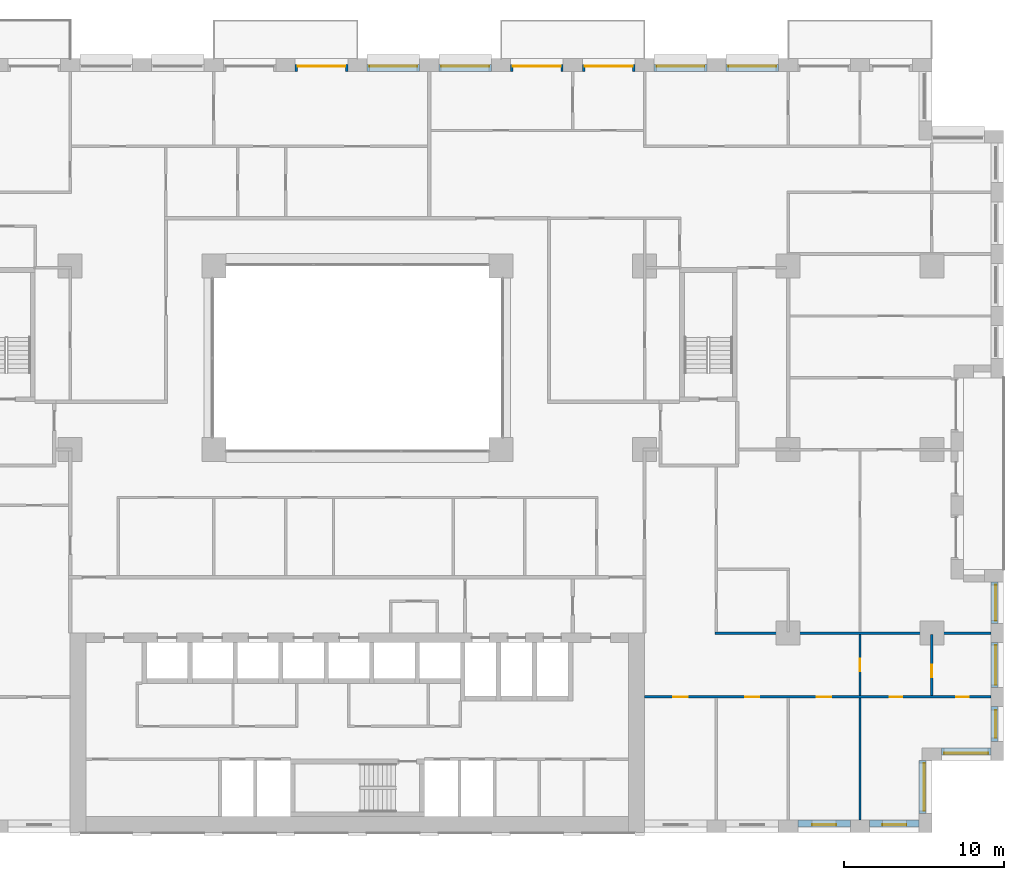
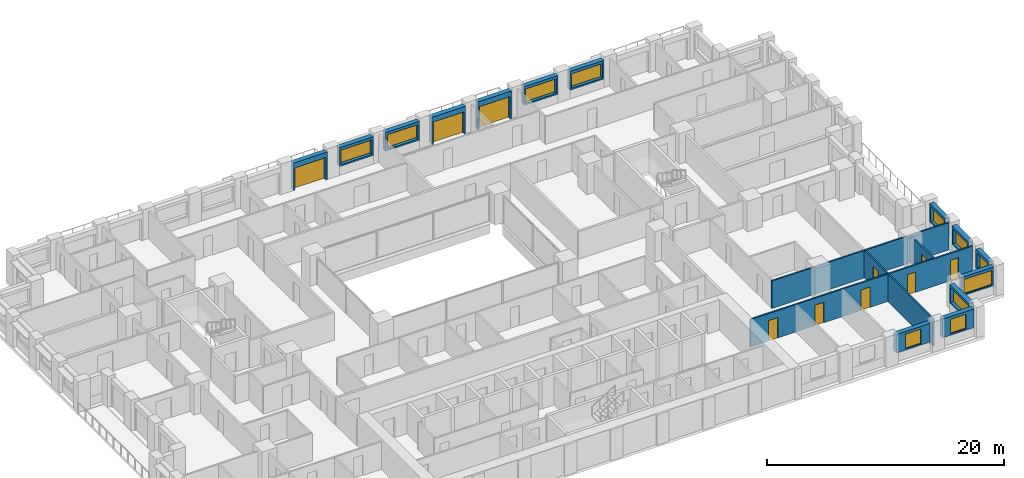
# One storey, part 16 of 20: 19 walls, 11 windows, 10 doors, 21 openings.
"""IFC4 building model written with IfcOpenShell, lengths in metres."""

from ifc_helpers import new_model, si_unit, direction, frame, frame_2d, origin, place, context, subcontext, project, spatial, rectangle, extrude, material, layer, layer_set, type_object, element, fill, save


model = new_model("IFC4")

# Units and contexts
model_context = context("Model", 3, precision=1e-05, world=origin(), true_north=direction((0.0, 1.0)))
body_context = subcontext(model_context, "Body", "Model", "MODEL_VIEW")
ifc_project = project(units=[si_unit("LENGTHUNIT", "METRE"), si_unit("AREAUNIT", "SQUARE_METRE"), si_unit("VOLUMEUNIT", "CUBIC_METRE"), si_unit("PLANEANGLEUNIT", "RADIAN"), si_unit("MASSUNIT", "GRAM", prefix="KILO")], contexts=[model_context])

# Site, building, storey
site_placement = place(None, origin())
site = spatial("IfcSite", under=ifc_project, at=site_placement, CompositionType="ELEMENT")
building_placement = place(site_placement, origin())
building = spatial("IfcBuilding", under=site, at=building_placement, Name="Brigalow Station Residences", CompositionType="ELEMENT")
storey_placement = place(building_placement, frame((0.0, 0.0, 60.449951171875)))
storey = spatial("IfcBuildingStorey", under=building, at=storey_placement, Name="L17", CompositionType="ELEMENT", Elevation=60.449951171875)

# Wall, opening, window
ifc_material_1 = material(Name="Clay brick masonry", Category="masonry")
ifc_layer_1 = layer(ifc_material_1, 0.449951171875)
ifc_layer_set_1 = layer_set([ifc_layer_1], Name="BRICK INFILL WALL 450")
wall_type_1 = type_object("IfcWallType", Name="BRICK INFILL WALL 450", PredefinedType="SOLIDWALL", material=ifc_layer_set_1)
wall_1_placement = place(storey_placement, frame((63.60009765625, 0.574951171875, 0.900146484375), z_axis=(0.0, 0.0, 1.0), x_axis=(1.0, 0.0, 0.0)))
wall_1 = element("IfcWall", 1, at=wall_1_placement, inside=storey, type_object=wall_type_1, Name="L17/ewall/W-L17-7", PredefinedType="SOLIDWALL", context=body_context, shape_type="SweptSolid", body=[
    extrude(rectangle(XDim=3.2998046875, YDim=0.449951171875, at=frame_2d((1.64990234375, 0.0))), origin(), (0.0, 0.0, 1.0), 1.929931640625),
])
opening_1_placement = place(wall_1_placement, frame((0.89990234375, 0.0, 0.14990234375)))
opening_1 = element("IfcOpeningElement", 2, at=opening_1_placement, cuts=wall_1, Name="Opening WT-1", PredefinedType="OPENING", context=body_context, shape_type="SweptSolid", body=[
    extrude(rectangle(XDim=1.5, YDim=1.5, at=frame_2d((0.75, 0.75))), frame((0.0, 0.23486328125, 0.0), z_axis=(0.0, -1.0, 0.0), x_axis=(1.0, 0.0, 0.0)), (0.0, 0.0, 1.0), 0.469970703125),
])
ifc_material_2 = material(Name="Anodised aluminium frame with double glazing", Category="aluminium")
window_type_1 = type_object("IfcWindowType", Name="WINDOW 1500x1500", PartitioningType="SINGLE_PANEL", PredefinedType="WINDOW", material=ifc_material_2)
window_1_placement = place(opening_1_placement, origin())
window_1 = element("IfcWindow", 3, at=window_1_placement, inside=storey, type_object=window_type_1, Name="L17/window/W-L17-7", OverallHeight=1.5, OverallWidth=1.5, PartitioningType="SINGLE_PANEL", PredefinedType="WINDOW", context=body_context, shape_type="SweptSolid", body=[
    extrude(rectangle(XDim=1.5, YDim=1.5, at=frame_2d((0.75, 0.75))), frame((0.0, -0.06494140625, 0.0), z_axis=(0.0, -1.0, 0.0), x_axis=(1.0, 0.0, 0.0)), (0.0, 0.0, 1.0), 0.06005859375),
])
fill(opening_1, window_1)

wall_2_placement = place(storey_placement, frame((68.10009765625, 0.574951171875, 0.900146484375), z_axis=(0.0, 0.0, 1.0), x_axis=(1.0, 0.0, 0.0)))
wall_2 = element("IfcWall", 4, at=wall_2_placement, inside=storey, type_object=wall_type_1, Name="L17/ewall/W-L17-8", PredefinedType="SOLIDWALL", context=body_context, shape_type="SweptSolid", body=[
    extrude(rectangle(XDim=3.099853515625, YDim=0.449951171875, at=frame_2d((1.5498046875, 0.0))), origin(), (0.0, 0.0, 1.0), 1.929931640625),
])
opening_2_placement = place(wall_2_placement, frame((0.800048828125, 0.0, 0.14990234375)))
opening_2 = element("IfcOpeningElement", 5, at=opening_2_placement, cuts=wall_2, Name="Opening WT-1", PredefinedType="OPENING", context=body_context, shape_type="SweptSolid", body=[
    extrude(rectangle(XDim=1.5, YDim=1.5, at=frame_2d((0.75, 0.75))), frame((0.0, 0.23486328125, 0.0), z_axis=(0.0, -1.0, 0.0), x_axis=(1.0, 0.0, 0.0)), (0.0, 0.0, 1.0), 0.469970703125),
])
window_2_placement = place(opening_2_placement, origin())
window_2 = element("IfcWindow", 6, at=window_2_placement, inside=storey, type_object=window_type_1, Name="L17/window/W-L17-8", OverallHeight=1.5, OverallWidth=1.5, PartitioningType="SINGLE_PANEL", PredefinedType="WINDOW", context=body_context, shape_type="SweptSolid", body=[
    extrude(rectangle(XDim=1.5, YDim=1.5, at=frame_2d((0.75, 0.75))), frame((0.0, -0.06494140625, 0.0), z_axis=(0.0, -1.0, 0.0), x_axis=(1.0, 0.0, 0.0)), (0.0, 0.0, 1.0), 0.06005859375),
])
fill(opening_2, window_2)

wall_3_placement = place(storey_placement, frame((71.425048828125, 1.199951171875, 0.900146484375), z_axis=(0.0, 0.0, 1.0), x_axis=(0.0, 1.0, 0.0)))
wall_3 = element("IfcWall", 7, at=wall_3_placement, inside=storey, type_object=wall_type_1, Name="L17/ewall/W-L17-9", PredefinedType="SOLIDWALL", context=body_context, shape_type="SweptSolid", body=[
    extrude(rectangle(XDim=3.300048828125, YDim=0.449951171875, at=frame_2d((1.64990234375, 0.0))), origin(), (0.0, 0.0, 1.0), 1.929931640625),
])
opening_3_placement = place(wall_3_placement, frame((0.14990234375, 0.0, 0.14990234375)))
opening_3 = element("IfcOpeningElement", 8, at=opening_3_placement, cuts=wall_3, Name="Opening WT-2", PredefinedType="OPENING", context=body_context, shape_type="SweptSolid", body=[
    extrude(rectangle(XDim=3.0, YDim=1.5, at=frame_2d((1.5, 0.75))), frame((0.0, 0.23486328125, 0.0), z_axis=(0.0, -1.0, 0.0), x_axis=(1.0, 0.0, 0.0)), (0.0, 0.0, 1.0), 0.469970703125),
])
ifc_material_3 = material(Name="Anodised aluminium frame with double glazing", Category="aluminium")
window_type_2 = type_object("IfcWindowType", Name="WINDOW 3000x1500", PartitioningType="SINGLE_PANEL", PredefinedType="WINDOW", material=ifc_material_3)
window_3_placement = place(opening_3_placement, origin())
window_3 = element("IfcWindow", 9, at=window_3_placement, inside=storey, type_object=window_type_2, Name="L17/window/W-L17-9", OverallHeight=1.5, OverallWidth=3.0, PartitioningType="SINGLE_PANEL", PredefinedType="WINDOW", context=body_context, shape_type="SweptSolid", body=[
    extrude(rectangle(XDim=3.0, YDim=1.5, at=frame_2d((1.5, 0.75))), frame((0.0, -0.06494140625, 0.0), z_axis=(0.0, -1.0, 0.0), x_axis=(1.0, 0.0, 0.0)), (0.0, 0.0, 1.0), 0.06005859375),
])
fill(opening_3, window_3)

wall_4_placement = place(storey_placement, frame((72.60009765625, 5.074951171875, 0.900146484375), z_axis=(0.0, 0.0, 1.0), x_axis=(1.0, 0.0, 0.0)))
wall_4 = element("IfcWall", 10, at=wall_4_placement, inside=storey, type_object=wall_type_1, Name="L17/ewall/W-L17-10", PredefinedType="SOLIDWALL", context=body_context, shape_type="SweptSolid", body=[
    extrude(rectangle(XDim=3.099853515625, YDim=0.449951171875, at=frame_2d((1.5498046875, 0.0))), origin(), (0.0, 0.0, 1.0), 1.929931640625),
])
opening_4_placement = place(wall_4_placement, frame((0.175048828125, 0.0, 0.14990234375)))
opening_4 = element("IfcOpeningElement", 11, at=opening_4_placement, cuts=wall_4, Name="Opening WT-3", PredefinedType="OPENING", context=body_context, shape_type="SweptSolid", body=[
    extrude(rectangle(XDim=2.75, YDim=1.5, at=frame_2d((1.375, 0.75))), frame((0.0, 0.23486328125, 0.0), z_axis=(0.0, -1.0, 0.0), x_axis=(1.0, 0.0, 0.0)), (0.0, 0.0, 1.0), 0.469970703125),
])
ifc_material_4 = material(Name="Anodised aluminium frame with double glazing", Category="aluminium")
window_type_3 = type_object("IfcWindowType", Name="WINDOW 2750x1500", PartitioningType="SINGLE_PANEL", PredefinedType="WINDOW", material=ifc_material_4)
window_4_placement = place(opening_4_placement, origin())
window_4 = element("IfcWindow", 12, at=window_4_placement, inside=storey, type_object=window_type_3, Name="L17/window/W-L17-10", OverallHeight=1.5, OverallWidth=2.75, PartitioningType="SINGLE_PANEL", PredefinedType="WINDOW", context=body_context, shape_type="SweptSolid", body=[
    extrude(rectangle(XDim=2.75, YDim=1.5, at=frame_2d((1.375, 0.75))), frame((0.0, -0.06494140625, 0.0), z_axis=(0.0, -1.0, 0.0), x_axis=(1.0, 0.0, 0.0)), (0.0, 0.0, 1.0), 0.06005859375),
])
fill(opening_4, window_4)

wall_5_placement = place(storey_placement, frame((75.925048828125, 5.699951171875, 0.900146484375), z_axis=(0.0, 0.0, 1.0), x_axis=(0.0, 1.0, 0.0)))
wall_5 = element("IfcWall", 13, at=wall_5_placement, inside=storey, type_object=wall_type_1, Name="L17/ewall/W-L17-11", PredefinedType="SOLIDWALL", context=body_context, shape_type="SweptSolid", body=[
    extrude(rectangle(XDim=2.199951171875, YDim=0.449951171875, at=frame_2d((1.10009765625, 0.0))), origin(), (0.0, 0.0, 1.0), 1.929931640625),
])
opening_5_placement = place(wall_5_placement, frame((0.22509765625, 0.0, 0.14990234375)))
opening_5 = element("IfcOpeningElement", 14, at=opening_5_placement, cuts=wall_5, Name="Opening WT-4", PredefinedType="OPENING", context=body_context, shape_type="SweptSolid", body=[
    extrude(rectangle(XDim=1.75, YDim=1.5, at=frame_2d((0.875, 0.75))), frame((0.0, 0.23486328125, 0.0), z_axis=(0.0, -1.0, 0.0), x_axis=(1.0, 0.0, 0.0)), (0.0, 0.0, 1.0), 0.469970703125),
])
ifc_material_5 = material(Name="Anodised aluminium frame with double glazing", Category="aluminium")
window_type_4 = type_object("IfcWindowType", Name="WINDOW 1750x1500", PartitioningType="SINGLE_PANEL", PredefinedType="WINDOW", material=ifc_material_5)
window_5_placement = place(opening_5_placement, origin())
window_5 = element("IfcWindow", 15, at=window_5_placement, inside=storey, type_object=window_type_4, Name="L17/window/W-L17-11", OverallHeight=1.5, OverallWidth=1.75, PartitioningType="SINGLE_PANEL", PredefinedType="WINDOW", context=body_context, shape_type="SweptSolid", body=[
    extrude(rectangle(XDim=1.75, YDim=1.5, at=frame_2d((0.875, 0.75))), frame((0.0, -0.06494140625, 0.0), z_axis=(0.0, -1.0, 0.0), x_axis=(1.0, 0.0, 0.0)), (0.0, 0.0, 1.0), 0.06005859375),
])
fill(opening_5, window_5)

wall_6_placement = place(storey_placement, frame((75.925048828125, 9.10009765625, 0.900146484375), z_axis=(0.0, 0.0, 1.0), x_axis=(0.0, 1.0, 0.0)))
wall_6 = element("IfcWall", 16, at=wall_6_placement, inside=storey, type_object=wall_type_1, Name="L17/ewall/W-L17-12", PredefinedType="SOLIDWALL", context=body_context, shape_type="SweptSolid", body=[
    extrude(rectangle(XDim=2.7998046875, YDim=0.449951171875, at=frame_2d((1.39990234375, 0.0))), origin(), (0.0, 0.0, 1.0), 1.929931640625),
])
opening_6_placement = place(wall_6_placement, frame((0.14990234375, 0.0, 0.14990234375)))
opening_6 = element("IfcOpeningElement", 17, at=opening_6_placement, cuts=wall_6, Name="Opening WT-5", PredefinedType="OPENING", context=body_context, shape_type="SweptSolid", body=[
    extrude(rectangle(XDim=2.5, YDim=1.5, at=frame_2d((1.25, 0.75))), frame((0.0, 0.23486328125, 0.0), z_axis=(0.0, -1.0, 0.0), x_axis=(1.0, 0.0, 0.0)), (0.0, 0.0, 1.0), 0.469970703125),
])
ifc_material_6 = material(Name="Anodised aluminium frame with double glazing", Category="aluminium")
window_type_5 = type_object("IfcWindowType", Name="WINDOW 2500x1500", PartitioningType="SINGLE_PANEL", PredefinedType="WINDOW", material=ifc_material_6)
window_6_placement = place(opening_6_placement, origin())
window_6 = element("IfcWindow", 18, at=window_6_placement, inside=storey, type_object=window_type_5, Name="L17/window/W-L17-12", OverallHeight=1.5, OverallWidth=2.5, PartitioningType="SINGLE_PANEL", PredefinedType="WINDOW", context=body_context, shape_type="SweptSolid", body=[
    extrude(rectangle(XDim=2.5, YDim=1.5, at=frame_2d((1.25, 0.75))), frame((0.0, -0.06494140625, 0.0), z_axis=(0.0, -1.0, 0.0), x_axis=(1.0, 0.0, 0.0)), (0.0, 0.0, 1.0), 0.06005859375),
])
fill(opening_6, window_6)

wall_7_placement = place(storey_placement, frame((75.925048828125, 13.10009765625, 0.900146484375), z_axis=(0.0, 0.0, 1.0), x_axis=(0.0, 1.0, 0.0)))
wall_7 = element("IfcWall", 19, at=wall_7_placement, inside=storey, type_object=wall_type_1, Name="L17/ewall/W-L17-13", PredefinedType="SOLIDWALL", context=body_context, shape_type="SweptSolid", body=[
    extrude(rectangle(XDim=2.599853515625, YDim=0.449951171875, at=frame_2d((1.2998046875, 0.0))), origin(), (0.0, 0.0, 1.0), 1.929931640625),
])
opening_7_placement = place(wall_7_placement, frame((0.175048828125, 0.0, 0.14990234375)))
opening_7 = element("IfcOpeningElement", 20, at=opening_7_placement, cuts=wall_7, Name="Opening WT-6", PredefinedType="OPENING", context=body_context, shape_type="SweptSolid", body=[
    extrude(rectangle(XDim=2.25, YDim=1.5, at=frame_2d((1.125, 0.75))), frame((0.0, 0.23486328125, 0.0), z_axis=(0.0, -1.0, 0.0), x_axis=(1.0, 0.0, 0.0)), (0.0, 0.0, 1.0), 0.469970703125),
])
ifc_material_7 = material(Name="Anodised aluminium frame with double glazing", Category="aluminium")
window_type_6 = type_object("IfcWindowType", Name="WINDOW 2250x1500", PartitioningType="SINGLE_PANEL", PredefinedType="WINDOW", material=ifc_material_7)
window_7_placement = place(opening_7_placement, origin())
window_7 = element("IfcWindow", 21, at=window_7_placement, inside=storey, type_object=window_type_6, Name="L17/window/W-L17-13", OverallHeight=1.5, OverallWidth=2.25, PartitioningType="SINGLE_PANEL", PredefinedType="WINDOW", context=body_context, shape_type="SweptSolid", body=[
    extrude(rectangle(XDim=2.25, YDim=1.5, at=frame_2d((1.125, 0.75))), frame((0.0, -0.06494140625, 0.0), z_axis=(0.0, -1.0, 0.0), x_axis=(1.0, 0.0, 0.0)), (0.0, 0.0, 1.0), 0.06005859375),
])
fill(opening_7, window_7)

wall_8_placement = place(storey_placement, frame((62.39990234375, 47.925048828125, 0.900146484375), z_axis=(0.0, 0.0, 1.0), x_axis=(-1.0, 0.0, 0.0)))
wall_8 = element("IfcWall", 22, at=wall_8_placement, inside=storey, type_object=wall_type_1, Name="L17/ewall/W-L17-27", PredefinedType="SOLIDWALL", context=body_context, shape_type="SweptSolid", body=[
    extrude(rectangle(XDim=3.2998046875, YDim=0.449951171875, at=frame_2d((1.64990234375, 0.0))), origin(), (0.0, 0.0, 1.0), 1.929931640625),
])
opening_8_placement = place(wall_8_placement, frame((0.14990234375, 0.0, 0.14990234375)))
opening_8 = element("IfcOpeningElement", 23, at=opening_8_placement, cuts=wall_8, Name="Opening WT-2", PredefinedType="OPENING", context=body_context, shape_type="SweptSolid", body=[
    extrude(rectangle(XDim=3.0, YDim=1.5, at=frame_2d((1.5, 0.75))), frame((0.0, 0.23486328125, 0.0), z_axis=(0.0, -1.0, 0.0), x_axis=(1.0, 0.0, 0.0)), (0.0, 0.0, 1.0), 0.469970703125),
])
window_8_placement = place(opening_8_placement, origin())
window_8 = element("IfcWindow", 24, at=window_8_placement, inside=storey, type_object=window_type_2, Name="L17/window/W-L17-27", OverallHeight=1.5, OverallWidth=3.0, PartitioningType="SINGLE_PANEL", PredefinedType="WINDOW", context=body_context, shape_type="SweptSolid", body=[
    extrude(rectangle(XDim=3.0, YDim=1.5, at=frame_2d((1.5, 0.75))), frame((0.0, -0.06494140625, 0.0), z_axis=(0.0, -1.0, 0.0), x_axis=(1.0, 0.0, 0.0)), (0.0, 0.0, 1.0), 0.06005859375),
])
fill(opening_8, window_8)

wall_9_placement = place(storey_placement, frame((57.89990234375, 47.925048828125, 0.900146484375), z_axis=(0.0, 0.0, 1.0), x_axis=(-1.0, 0.0, 0.0)))
wall_9 = element("IfcWall", 25, at=wall_9_placement, inside=storey, type_object=wall_type_1, Name="L17/ewall/W-L17-28", PredefinedType="SOLIDWALL", context=body_context, shape_type="SweptSolid", body=[
    extrude(rectangle(XDim=3.2998046875, YDim=0.449951171875, at=frame_2d((1.64990234375, 0.0))), origin(), (0.0, 0.0, 1.0), 1.929931640625),
])
opening_9_placement = place(wall_9_placement, frame((0.14990234375, 0.0, 0.14990234375)))
opening_9 = element("IfcOpeningElement", 26, at=opening_9_placement, cuts=wall_9, Name="Opening WT-2", PredefinedType="OPENING", context=body_context, shape_type="SweptSolid", body=[
    extrude(rectangle(XDim=3.0, YDim=1.5, at=frame_2d((1.5, 0.75))), frame((0.0, 0.23486328125, 0.0), z_axis=(0.0, -1.0, 0.0), x_axis=(1.0, 0.0, 0.0)), (0.0, 0.0, 1.0), 0.469970703125),
])
window_9_placement = place(opening_9_placement, origin())
window_9 = element("IfcWindow", 27, at=window_9_placement, inside=storey, type_object=window_type_2, Name="L17/window/W-L17-28", OverallHeight=1.5, OverallWidth=3.0, PartitioningType="SINGLE_PANEL", PredefinedType="WINDOW", context=body_context, shape_type="SweptSolid", body=[
    extrude(rectangle(XDim=3.0, YDim=1.5, at=frame_2d((1.5, 0.75))), frame((0.0, -0.06494140625, 0.0), z_axis=(0.0, -1.0, 0.0), x_axis=(1.0, 0.0, 0.0)), (0.0, 0.0, 1.0), 0.06005859375),
])
fill(opening_9, window_9)

# Wall, opening, door
wall_10_placement = place(storey_placement, frame((53.39990234375, 47.925048828125, 0.0), z_axis=(0.0, 0.0, 1.0), x_axis=(-1.0, 0.0, 0.0)))
wall_10 = element("IfcWall", 28, at=wall_10_placement, inside=storey, type_object=wall_type_1, Name="L17/ewall/W-L17-29", PredefinedType="SOLIDWALL", context=body_context, shape_type="SweptSolid", body=[
    extrude(rectangle(XDim=3.2998046875, YDim=0.449951171875, at=frame_2d((1.64990234375, 0.0))), origin(), (0.0, 0.0, 1.0), 2.830078125),
])
opening_10_placement = place(wall_10_placement, frame((0.14990234375, 0.0, 0.0)))
opening_10 = element("IfcOpeningElement", 29, at=opening_10_placement, cuts=wall_10, Name="Opening D-B3000", PredefinedType="OPENING", context=body_context, shape_type="SweptSolid", body=[
    extrude(rectangle(XDim=3.0, YDim=2.300048828125, at=frame_2d((1.5, 1.14990234375))), frame((0.0, 0.23486328125, 0.0), z_axis=(0.0, -1.0, 0.0), x_axis=(1.0, 0.0, 0.0)), (0.0, 0.0, 1.0), 0.469970703125),
])
ifc_material_8 = material(Name="Anodised aluminium frame with double glazing", Category="aluminium")
door_type_1 = type_object("IfcDoorType", Name="BALCONY SLIDING DOOR 3000x2300", OperationType="SLIDING_TO_LEFT", PredefinedType="DOOR", material=ifc_material_8)
door_1_placement = place(opening_10_placement, origin())
door_1 = element("IfcDoor", 30, at=door_1_placement, inside=storey, type_object=door_type_1, Name="L17/balcony-door/W-L17-29", OperationType="SLIDING_TO_LEFT", OverallHeight=2.300048828125, OverallWidth=3.0, PredefinedType="DOOR", context=body_context, shape_type="SweptSolid", body=[
    extrude(rectangle(XDim=3.0, YDim=2.300048828125, at=frame_2d((1.5, 1.14990234375))), frame((0.0, -0.06982421875, 0.0), z_axis=(0.0, -1.0, 0.0), x_axis=(1.0, 0.0, 0.0)), (0.0, 0.0, 1.0), 0.050048828125),
])
fill(opening_10, door_1)

wall_11_placement = place(storey_placement, frame((48.89990234375, 47.925048828125, 0.0), z_axis=(0.0, 0.0, 1.0), x_axis=(-1.0, 0.0, 0.0)))
wall_11 = element("IfcWall", 31, at=wall_11_placement, inside=storey, type_object=wall_type_1, Name="L17/ewall/W-L17-30", PredefinedType="SOLIDWALL", context=body_context, shape_type="SweptSolid", body=[
    extrude(rectangle(XDim=3.2998046875, YDim=0.449951171875, at=frame_2d((1.64990234375, 0.0))), origin(), (0.0, 0.0, 1.0), 2.830078125),
])
opening_11_placement = place(wall_11_placement, frame((0.14990234375, 0.0, 0.0)))
opening_11 = element("IfcOpeningElement", 32, at=opening_11_placement, cuts=wall_11, Name="Opening D-B3000", PredefinedType="OPENING", context=body_context, shape_type="SweptSolid", body=[
    extrude(rectangle(XDim=3.0, YDim=2.300048828125, at=frame_2d((1.5, 1.14990234375))), frame((0.0, 0.23486328125, 0.0), z_axis=(0.0, -1.0, 0.0), x_axis=(1.0, 0.0, 0.0)), (0.0, 0.0, 1.0), 0.469970703125),
])
door_2_placement = place(opening_11_placement, origin())
door_2 = element("IfcDoor", 33, at=door_2_placement, inside=storey, type_object=door_type_1, Name="L17/balcony-door/W-L17-30", OperationType="SLIDING_TO_LEFT", OverallHeight=2.300048828125, OverallWidth=3.0, PredefinedType="DOOR", context=body_context, shape_type="SweptSolid", body=[
    extrude(rectangle(XDim=3.0, YDim=2.300048828125, at=frame_2d((1.5, 1.14990234375))), frame((0.0, -0.06982421875, 0.0), z_axis=(0.0, -1.0, 0.0), x_axis=(1.0, 0.0, 0.0)), (0.0, 0.0, 1.0), 0.050048828125),
])
fill(opening_11, door_2)

# Wall, opening, window
wall_12_placement = place(storey_placement, frame((44.39990234375, 47.925048828125, 0.900146484375), z_axis=(0.0, 0.0, 1.0), x_axis=(-1.0, 0.0, 0.0)))
wall_12 = element("IfcWall", 34, at=wall_12_placement, inside=storey, type_object=wall_type_1, Name="L17/ewall/W-L17-31", PredefinedType="SOLIDWALL", context=body_context, shape_type="SweptSolid", body=[
    extrude(rectangle(XDim=3.2998046875, YDim=0.449951171875, at=frame_2d((1.64990234375, 0.0))), origin(), (0.0, 0.0, 1.0), 1.929931640625),
])
opening_12_placement = place(wall_12_placement, frame((0.14990234375, 0.0, 0.14990234375)))
opening_12 = element("IfcOpeningElement", 35, at=opening_12_placement, cuts=wall_12, Name="Opening WT-2", PredefinedType="OPENING", context=body_context, shape_type="SweptSolid", body=[
    extrude(rectangle(XDim=3.0, YDim=1.5, at=frame_2d((1.5, 0.75))), frame((0.0, 0.23486328125, 0.0), z_axis=(0.0, -1.0, 0.0), x_axis=(1.0, 0.0, 0.0)), (0.0, 0.0, 1.0), 0.469970703125),
])
window_10_placement = place(opening_12_placement, origin())
window_10 = element("IfcWindow", 36, at=window_10_placement, inside=storey, type_object=window_type_2, Name="L17/window/W-L17-31", OverallHeight=1.5, OverallWidth=3.0, PartitioningType="SINGLE_PANEL", PredefinedType="WINDOW", context=body_context, shape_type="SweptSolid", body=[
    extrude(rectangle(XDim=3.0, YDim=1.5, at=frame_2d((1.5, 0.75))), frame((0.0, -0.06494140625, 0.0), z_axis=(0.0, -1.0, 0.0), x_axis=(1.0, 0.0, 0.0)), (0.0, 0.0, 1.0), 0.06005859375),
])
fill(opening_12, window_10)

wall_13_placement = place(storey_placement, frame((39.89990234375, 47.925048828125, 0.900146484375), z_axis=(0.0, 0.0, 1.0), x_axis=(-1.0, 0.0, 0.0)))
wall_13 = element("IfcWall", 37, at=wall_13_placement, inside=storey, type_object=wall_type_1, Name="L17/ewall/W-L17-32", PredefinedType="SOLIDWALL", context=body_context, shape_type="SweptSolid", body=[
    extrude(rectangle(XDim=3.2998046875, YDim=0.449951171875, at=frame_2d((1.64990234375, 0.0))), origin(), (0.0, 0.0, 1.0), 1.929931640625),
])
opening_13_placement = place(wall_13_placement, frame((0.14990234375, 0.0, 0.14990234375)))
opening_13 = element("IfcOpeningElement", 38, at=opening_13_placement, cuts=wall_13, Name="Opening WT-2", PredefinedType="OPENING", context=body_context, shape_type="SweptSolid", body=[
    extrude(rectangle(XDim=3.0, YDim=1.5, at=frame_2d((1.5, 0.75))), frame((0.0, 0.23486328125, 0.0), z_axis=(0.0, -1.0, 0.0), x_axis=(1.0, 0.0, 0.0)), (0.0, 0.0, 1.0), 0.469970703125),
])
window_11_placement = place(opening_13_placement, origin())
window_11 = element("IfcWindow", 39, at=window_11_placement, inside=storey, type_object=window_type_2, Name="L17/window/W-L17-32", OverallHeight=1.5, OverallWidth=3.0, PartitioningType="SINGLE_PANEL", PredefinedType="WINDOW", context=body_context, shape_type="SweptSolid", body=[
    extrude(rectangle(XDim=3.0, YDim=1.5, at=frame_2d((1.5, 0.75))), frame((0.0, -0.06494140625, 0.0), z_axis=(0.0, -1.0, 0.0), x_axis=(1.0, 0.0, 0.0)), (0.0, 0.0, 1.0), 0.06005859375),
])
fill(opening_13, window_11)

# Wall, opening, door
wall_14_placement = place(storey_placement, frame((35.39990234375, 47.925048828125, 0.0), z_axis=(0.0, 0.0, 1.0), x_axis=(-1.0, 0.0, 0.0)))
wall_14 = element("IfcWall", 40, at=wall_14_placement, inside=storey, type_object=wall_type_1, Name="L17/ewall/W-L17-33", PredefinedType="SOLIDWALL", context=body_context, shape_type="SweptSolid", body=[
    extrude(rectangle(XDim=3.2998046875, YDim=0.449951171875, at=frame_2d((1.64990234375, 0.0))), origin(), (0.0, 0.0, 1.0), 2.830078125),
])
opening_14_placement = place(wall_14_placement, frame((0.14990234375, 0.0, 0.0)))
opening_14 = element("IfcOpeningElement", 41, at=opening_14_placement, cuts=wall_14, Name="Opening D-B3000", PredefinedType="OPENING", context=body_context, shape_type="SweptSolid", body=[
    extrude(rectangle(XDim=3.0, YDim=2.300048828125, at=frame_2d((1.5, 1.14990234375))), frame((0.0, 0.23486328125, 0.0), z_axis=(0.0, -1.0, 0.0), x_axis=(1.0, 0.0, 0.0)), (0.0, 0.0, 1.0), 0.469970703125),
])
door_3_placement = place(opening_14_placement, origin())
door_3 = element("IfcDoor", 42, at=door_3_placement, inside=storey, type_object=door_type_1, Name="L17/balcony-door/W-L17-33", OperationType="SLIDING_TO_LEFT", OverallHeight=2.300048828125, OverallWidth=3.0, PredefinedType="DOOR", context=body_context, shape_type="SweptSolid", body=[
    extrude(rectangle(XDim=3.0, YDim=2.300048828125, at=frame_2d((1.5, 1.14990234375))), frame((0.0, -0.06982421875, 0.0), z_axis=(0.0, -1.0, 0.0), x_axis=(1.0, 0.0, 0.0)), (0.0, 0.0, 1.0), 0.050048828125),
])
fill(opening_14, door_3)

# Wall, openings, doors
ifc_material_9 = material(Name="Plasterboard on steel stud partition", Category="steel")
ifc_layer_2 = layer(ifc_material_9, 0.14990234375)
ifc_layer_set_2 = layer_set([ifc_layer_2], Name="FLAT PARTITION 150")
wall_type_2 = type_object("IfcWallType", Name="FLAT PARTITION 150", PredefinedType="PARTITIONING", material=ifc_layer_set_2)
wall_15_placement = place(storey_placement, frame((54.0, 8.5, 0.0), z_axis=(0.0, 0.0, 1.0), x_axis=(1.0, 0.0, 0.0)))
wall_15 = element("IfcWall", 43, at=wall_15_placement, inside=storey, type_object=wall_type_2, Name="PW-1F12", PredefinedType="PARTITIONING", context=body_context, shape_type="SweptSolid", body=[
    extrude(rectangle(XDim=21.699951171875, YDim=0.14990234375, at=frame_2d((10.85009765625, 0.0))), origin(), (0.0, 0.0, 1.0), 2.830078125),
])
opening_15_placement = place(wall_15_placement, frame((1.800048828125, 0.0, 0.0)))
opening_15 = element("IfcOpeningElement", 44, at=opening_15_placement, cuts=wall_15, Name="Opening D-1F53", PredefinedType="OPENING", context=body_context, shape_type="SweptSolid", body=[
    extrude(rectangle(XDim=0.89990234375, YDim=2.10009765625, at=frame_2d((0.449951171875, 1.050048828125))), frame((0.0, 0.0849609375, 0.0), z_axis=(0.0, -1.0, 0.0), x_axis=(1.0, 0.0, 0.0)), (0.0, 0.0, 1.0), 0.169921875),
])
opening_16_placement = place(wall_15_placement, frame((6.300048828125, 0.0, 0.0)))
opening_16 = element("IfcOpeningElement", 45, at=opening_16_placement, cuts=wall_15, Name="Opening D-1F54", PredefinedType="OPENING", context=body_context, shape_type="SweptSolid", body=[
    extrude(rectangle(XDim=0.89990234375, YDim=2.10009765625, at=frame_2d((0.449951171875, 1.050048828125))), frame((0.0, 0.0849609375, 0.0), z_axis=(0.0, -1.0, 0.0), x_axis=(1.0, 0.0, 0.0)), (0.0, 0.0, 1.0), 0.169921875),
])
opening_17_placement = place(wall_15_placement, frame((10.800048828125, 0.0, 0.0)))
opening_17 = element("IfcOpeningElement", 46, at=opening_17_placement, cuts=wall_15, Name="Opening D-1F55", PredefinedType="OPENING", context=body_context, shape_type="SweptSolid", body=[
    extrude(rectangle(XDim=0.89990234375, YDim=2.10009765625, at=frame_2d((0.449951171875, 1.050048828125))), frame((0.0, 0.0849609375, 0.0), z_axis=(0.0, -1.0, 0.0), x_axis=(1.0, 0.0, 0.0)), (0.0, 0.0, 1.0), 0.169921875),
])
opening_18_placement = place(wall_15_placement, frame((19.52490234375, 0.0, 0.0)))
opening_18 = element("IfcOpeningElement", 47, at=opening_18_placement, cuts=wall_15, Name="Opening D-1F59", PredefinedType="OPENING", context=body_context, shape_type="SweptSolid", body=[
    extrude(rectangle(XDim=0.800048828125, YDim=2.10009765625, at=frame_2d((0.39990234375, 1.050048828125))), frame((0.0, 0.0849609375, 0.0), z_axis=(0.0, -1.0, 0.0), x_axis=(1.0, 0.0, 0.0)), (0.0, 0.0, 1.0), 0.169921875),
])
opening_19_placement = place(wall_15_placement, frame((15.35009765625, 0.0, 0.0)))
opening_19 = element("IfcOpeningElement", 48, at=opening_19_placement, cuts=wall_15, Name="Opening D-1F65", PredefinedType="OPENING", context=body_context, shape_type="SweptSolid", body=[
    extrude(rectangle(XDim=0.800048828125, YDim=2.10009765625, at=frame_2d((0.39990234375, 1.050048828125))), frame((0.0, 0.0849609375, 0.0), z_axis=(0.0, -1.0, 0.0), x_axis=(1.0, 0.0, 0.0)), (0.0, 0.0, 1.0), 0.169921875),
])
ifc_material_10 = material(Name="Solid-core timber door leaf", Category="wood")
door_type_2 = type_object("IfcDoorType", Name="INTERNAL DOOR 800 x 2100", OperationType="SINGLE_SWING_LEFT", PredefinedType="DOOR", material=ifc_material_10)
door_4_placement = place(opening_18_placement, origin())
door_4 = element("IfcDoor", 49, at=door_4_placement, inside=storey, type_object=door_type_2, Name="D-1F59", OperationType="SINGLE_SWING_RIGHT", OverallHeight=2.10009765625, OverallWidth=0.800048828125, PredefinedType="DOOR", context=body_context, shape_type="SweptSolid", body=[
    extrude(rectangle(XDim=0.800048828125, YDim=2.10009765625, at=frame_2d((0.39990234375, 1.050048828125))), frame((0.0, 0.02490234375, 0.0), z_axis=(0.0, -1.0, 0.0), x_axis=(1.0, 0.0, 0.0)), (0.0, 0.0, 1.0), 0.050048828125),
])
fill(opening_18, door_4)
door_5_placement = place(opening_19_placement, origin())
door_5 = element("IfcDoor", 50, at=door_5_placement, inside=storey, type_object=door_type_2, Name="D-1F65", OperationType="SINGLE_SWING_LEFT", OverallHeight=2.10009765625, OverallWidth=0.800048828125, PredefinedType="DOOR", context=body_context, shape_type="SweptSolid", body=[
    extrude(rectangle(XDim=0.800048828125, YDim=2.10009765625, at=frame_2d((0.39990234375, 1.050048828125))), frame((0.0, 0.02490234375, 0.0), z_axis=(0.0, -1.0, 0.0), x_axis=(1.0, 0.0, 0.0)), (0.0, 0.0, 1.0), 0.050048828125),
])
fill(opening_19, door_5)
ifc_material_11 = material(Name="Solid-core timber door leaf", Category="wood")
door_type_3 = type_object("IfcDoorType", Name="INTERNAL DOOR 900 x 2100", OperationType="SINGLE_SWING_LEFT", PredefinedType="DOOR", material=ifc_material_11)
door_6_placement = place(opening_15_placement, frame((0.89990234375, 0.0, 0.0), z_axis=(0.0, 0.0, 1.0), x_axis=(-1.0, 0.0, 0.0)))
door_6 = element("IfcDoor", 51, at=door_6_placement, inside=storey, type_object=door_type_3, Name="D-1F53", OperationType="SINGLE_SWING_LEFT", OverallHeight=2.10009765625, OverallWidth=0.89990234375, PredefinedType="DOOR", context=body_context, shape_type="SweptSolid", body=[
    extrude(rectangle(XDim=0.89990234375, YDim=2.10009765625, at=frame_2d((0.449951171875, 1.050048828125))), frame((0.0, 0.02490234375, 0.0), z_axis=(0.0, -1.0, 0.0), x_axis=(1.0, 0.0, 0.0)), (0.0, 0.0, 1.0), 0.050048828125),
])
fill(opening_15, door_6)
door_7_placement = place(opening_16_placement, frame((0.89990234375, 0.0, 0.0), z_axis=(0.0, 0.0, 1.0), x_axis=(-1.0, 0.0, 0.0)))
door_7 = element("IfcDoor", 52, at=door_7_placement, inside=storey, type_object=door_type_3, Name="D-1F54", OperationType="SINGLE_SWING_RIGHT", OverallHeight=2.10009765625, OverallWidth=0.89990234375, PredefinedType="DOOR", context=body_context, shape_type="SweptSolid", body=[
    extrude(rectangle(XDim=0.89990234375, YDim=2.10009765625, at=frame_2d((0.449951171875, 1.050048828125))), frame((0.0, 0.02490234375, 0.0), z_axis=(0.0, -1.0, 0.0), x_axis=(1.0, 0.0, 0.0)), (0.0, 0.0, 1.0), 0.050048828125),
])
fill(opening_16, door_7)
door_8_placement = place(opening_17_placement, frame((0.89990234375, 0.0, 0.0), z_axis=(0.0, 0.0, 1.0), x_axis=(-1.0, 0.0, 0.0)))
door_8 = element("IfcDoor", 53, at=door_8_placement, inside=storey, type_object=door_type_3, Name="D-1F55", OperationType="SINGLE_SWING_LEFT", OverallHeight=2.10009765625, OverallWidth=0.89990234375, PredefinedType="DOOR", context=body_context, shape_type="SweptSolid", body=[
    extrude(rectangle(XDim=0.89990234375, YDim=2.10009765625, at=frame_2d((0.449951171875, 1.050048828125))), frame((0.0, 0.02490234375, 0.0), z_axis=(0.0, -1.0, 0.0), x_axis=(1.0, 0.0, 0.0)), (0.0, 0.0, 1.0), 0.050048828125),
])
fill(opening_17, door_8)

# Wall
wall_16_placement = place(storey_placement, frame((58.425048828125, 12.5, 0.0), z_axis=(0.0, 0.0, 1.0), x_axis=(1.0, 0.0, 0.0)))
element("IfcWall", 54, at=wall_16_placement, inside=storey, type_object=wall_type_2, Name="PW-1F14", PredefinedType="PARTITIONING", context=body_context, shape_type="SweptSolid", body=[
    extrude(rectangle(XDim=17.27490234375, YDim=0.14990234375, at=frame_2d((8.637451171875, 0.0))), origin(), (0.0, 0.0, 1.0), 2.830078125),
])

# Wall, opening, door
wall_17_placement = place(storey_placement, frame((72.0, 8.574951171875, 0.0), z_axis=(0.0, 0.0, 1.0), x_axis=(0.0, 1.0, 0.0)))
wall_17 = element("IfcWall", 55, at=wall_17_placement, inside=storey, type_object=wall_type_2, Name="PW-1F75", PredefinedType="PARTITIONING", context=body_context, shape_type="SweptSolid", body=[
    extrude(rectangle(XDim=3.85009765625, YDim=0.14990234375, at=frame_2d((1.925048828125, 0.0))), origin(), (0.0, 0.0, 1.0), 2.830078125),
])
opening_20_placement = place(wall_17_placement, frame((1.14990234375, 0.0, 0.0)))
opening_20 = element("IfcOpeningElement", 56, at=opening_20_placement, cuts=wall_17, Name="Opening D-1F60", PredefinedType="OPENING", context=body_context, shape_type="SweptSolid", body=[
    extrude(rectangle(XDim=0.800048828125, YDim=2.10009765625, at=frame_2d((0.39990234375, 1.050048828125))), frame((0.0, 0.0849609375, 0.0), z_axis=(0.0, -1.0, 0.0), x_axis=(1.0, 0.0, 0.0)), (0.0, 0.0, 1.0), 0.169921875),
])
door_9_placement = place(opening_20_placement, frame((0.800048828125, 0.0, 0.0), z_axis=(0.0, 0.0, 1.0), x_axis=(-1.0, 0.0, 0.0)))
door_9 = element("IfcDoor", 57, at=door_9_placement, inside=storey, type_object=door_type_2, Name="D-1F60", OperationType="SINGLE_SWING_RIGHT", OverallHeight=2.10009765625, OverallWidth=0.800048828125, PredefinedType="DOOR", context=body_context, shape_type="SweptSolid", body=[
    extrude(rectangle(XDim=0.800048828125, YDim=2.10009765625, at=frame_2d((0.39990234375, 1.050048828125))), frame((0.0, 0.02490234375, 0.0), z_axis=(0.0, -1.0, 0.0), x_axis=(1.0, 0.0, 0.0)), (0.0, 0.0, 1.0), 0.050048828125),
])
fill(opening_20, door_9)

# Wall
wall_18_placement = place(storey_placement, frame((67.5, 0.800048828125, 0.0), z_axis=(0.0, 0.0, 1.0), x_axis=(0.0, 1.0, 0.0)))
element("IfcWall", 58, at=wall_18_placement, inside=storey, type_object=wall_type_2, Name="PW-1F79", PredefinedType="PARTITIONING", context=body_context, shape_type="SweptSolid", body=[
    extrude(rectangle(XDim=7.625, YDim=0.14990234375, at=frame_2d((3.8125, 0.0))), origin(), (0.0, 0.0, 1.0), 2.830078125),
])

# Wall, opening, door
wall_19_placement = place(storey_placement, frame((67.5, 8.574951171875, 0.0), z_axis=(0.0, 0.0, 1.0), x_axis=(0.0, 1.0, 0.0)))
wall_19 = element("IfcWall", 59, at=wall_19_placement, inside=storey, type_object=wall_type_2, Name="PW-1F80", PredefinedType="PARTITIONING", context=body_context, shape_type="SweptSolid", body=[
    extrude(rectangle(XDim=3.85009765625, YDim=0.14990234375, at=frame_2d((1.925048828125, 0.0))), origin(), (0.0, 0.0, 1.0), 2.830078125),
])
opening_21_placement = place(wall_19_placement, frame((1.52490234375, 0.0, 0.0)))
opening_21 = element("IfcOpeningElement", 60, at=opening_21_placement, cuts=wall_19, Name="Opening D-1F63", PredefinedType="OPENING", context=body_context, shape_type="SweptSolid", body=[
    extrude(rectangle(XDim=0.800048828125, YDim=2.10009765625, at=frame_2d((0.39990234375, 1.050048828125))), frame((0.0, 0.0849609375, 0.0), z_axis=(0.0, -1.0, 0.0), x_axis=(1.0, 0.0, 0.0)), (0.0, 0.0, 1.0), 0.169921875),
])
door_10_placement = place(opening_21_placement, frame((0.800048828125, 0.0, 0.0), z_axis=(0.0, 0.0, 1.0), x_axis=(-1.0, 0.0, 0.0)))
door_10 = element("IfcDoor", 61, at=door_10_placement, inside=storey, type_object=door_type_2, Name="D-1F63", OperationType="SINGLE_SWING_LEFT", OverallHeight=2.10009765625, OverallWidth=0.800048828125, PredefinedType="DOOR", context=body_context, shape_type="SweptSolid", body=[
    extrude(rectangle(XDim=0.800048828125, YDim=2.10009765625, at=frame_2d((0.39990234375, 1.050048828125))), frame((0.0, 0.02490234375, 0.0), z_axis=(0.0, -1.0, 0.0), x_axis=(1.0, 0.0, 0.0)), (0.0, 0.0, 1.0), 0.050048828125),
])
fill(opening_21, door_10)

save(model, "model.ifc")
